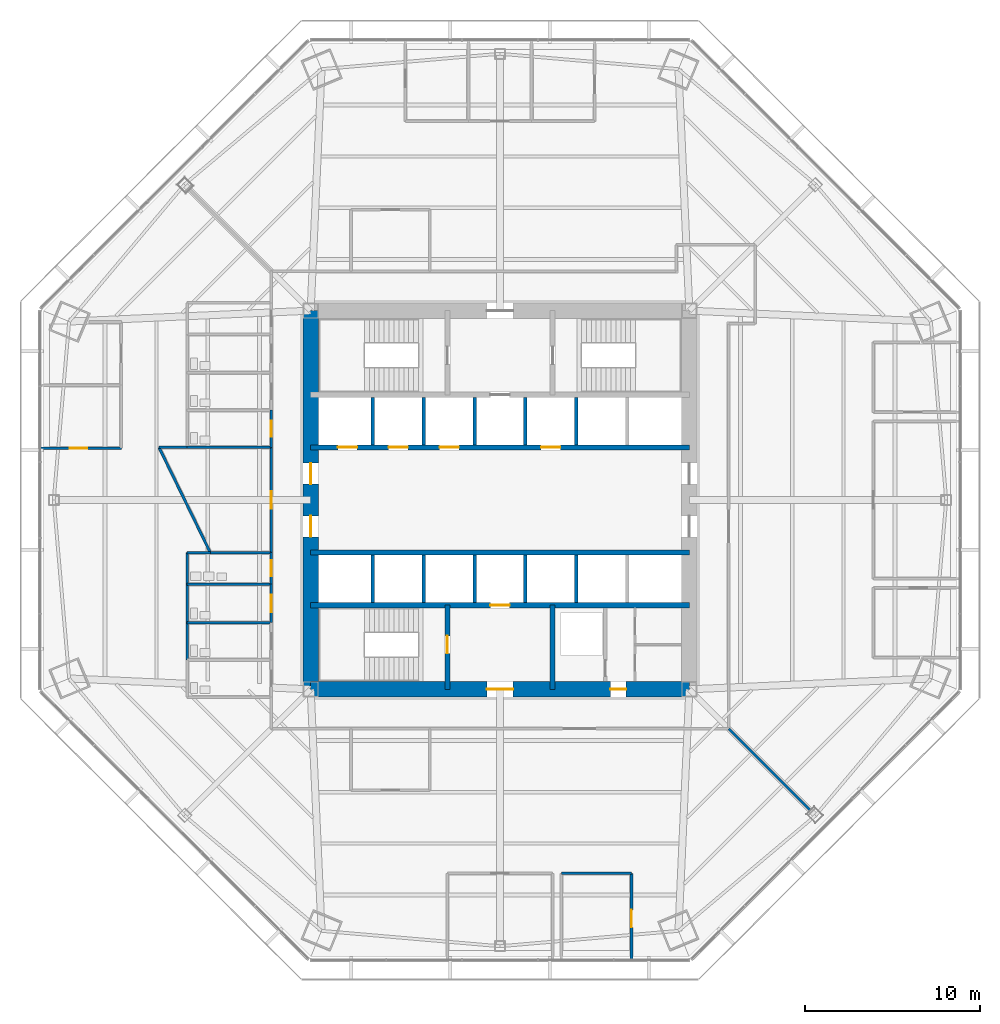
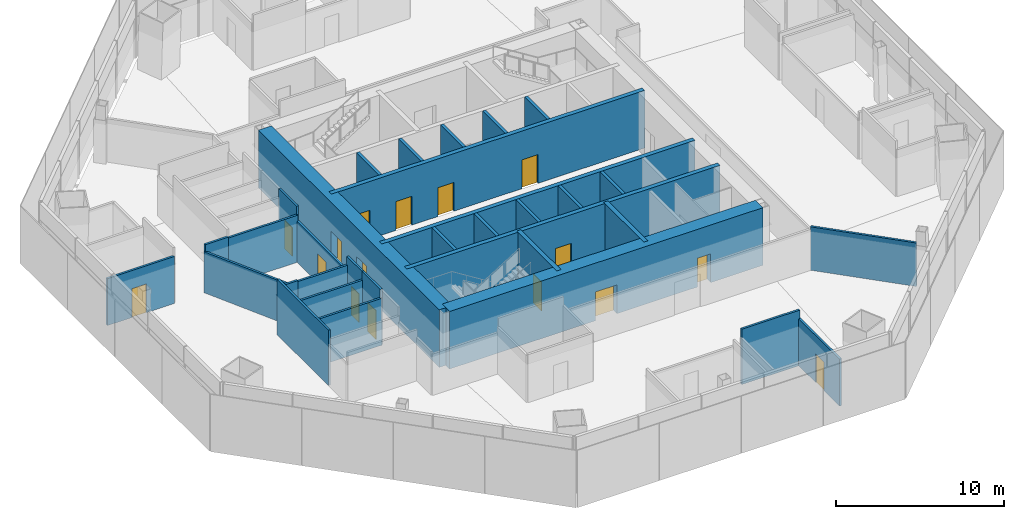
# One storey, part 9 of 15: 33 walls, 16 doors, 16 openings.
"""IFC4 building model written with IfcOpenShell, lengths in metres."""

from ifc_helpers import new_model, si_unit, direction, frame, frame_2d, origin, place, context, subcontext, project, spatial, rectangle, extrude, material, layer, layer_set, type_object, element, fill, save


model = new_model("IFC4")

# Units and contexts
model_context = context("Model", 3, precision=1e-05, world=origin(), true_north=direction((0.0, 1.0)))
body_context = subcontext(model_context, "Body", "Model", "MODEL_VIEW")
ifc_project = project(units=[si_unit("LENGTHUNIT", "METRE"), si_unit("AREAUNIT", "SQUARE_METRE"), si_unit("VOLUMEUNIT", "CUBIC_METRE"), si_unit("PLANEANGLEUNIT", "RADIAN"), si_unit("MASSUNIT", "GRAM", prefix="KILO")], contexts=[model_context])

# Site, building, storey
site_placement = place(None, origin())
site = spatial("IfcSite", under=ifc_project, at=site_placement, CompositionType="ELEMENT")
building_placement = place(site_placement, origin())
building = spatial("IfcBuilding", under=site, at=building_placement, Name="Mashrafa Tower", CompositionType="ELEMENT")
storey_placement = place(building_placement, frame((0.0, 0.0, 62.39990234375)))
storey = spatial("IfcBuildingStorey", under=building, at=storey_placement, Name="L13", CompositionType="ELEMENT", Elevation=62.39990234375)

# Wall, openings, doors
ifc_material_1 = material(Name="Concrete C60/75", Category="concrete")
ifc_layer_1 = layer(ifc_material_1, 0.300048828125)
ifc_layer_set_1 = layer_set([ifc_layer_1], Name="Core wall 300 C60/75")
wall_type_1 = type_object("IfcWallType", Name="Core wall 300 C60/75", PredefinedType="SOLIDWALL", material=ifc_layer_set_1)
wall_1_placement = place(storey_placement, frame((-10.800048828125, 3.0, 0.0), z_axis=(0.0, 0.0, 1.0), x_axis=(1.0, 0.0, 0.0)))
wall_1 = element("IfcWall", 1, at=wall_1_placement, inside=storey, type_object=wall_type_1, Name="Core wall CH-N L13", PredefinedType="SOLIDWALL", context=body_context, shape_type="SweptSolid", body=[
    extrude(rectangle(XDim=21.60009765625, YDim=0.300048828125, at=frame_2d((10.800048828125, 0.0))), origin(), (0.0, 0.0, 1.0), 4.2001953125),
])
opening_1_placement = place(wall_1_placement, frame((1.550048828125, 0.0, 0.0)))
opening_1 = element("IfcOpeningElement", 2, at=opening_1_placement, cuts=wall_1, Name="Opening 13.A1", PredefinedType="OPENING", context=body_context, shape_type="SweptSolid", body=[
    extrude(rectangle(XDim=1.10009765625, YDim=2.10009765625, at=frame_2d((0.550048828125, 1.050048828125))), frame((0.0, 0.159912109375, 0.0), z_axis=(0.0, -1.0, 0.0), x_axis=(1.0, 0.0, 0.0)), (0.0, 0.0, 1.0), 0.320068359375),
])
opening_2_placement = place(wall_1_placement, frame((4.449951171875, 0.0, 0.0)))
opening_2 = element("IfcOpeningElement", 3, at=opening_2_placement, cuts=wall_1, Name="Opening 13.A2", PredefinedType="OPENING", context=body_context, shape_type="SweptSolid", body=[
    extrude(rectangle(XDim=1.10009765625, YDim=2.10009765625, at=frame_2d((0.550048828125, 1.050048828125))), frame((0.0, 0.159912109375, 0.0), z_axis=(0.0, -1.0, 0.0), x_axis=(1.0, 0.0, 0.0)), (0.0, 0.0, 1.0), 0.320068359375),
])
opening_3_placement = place(wall_1_placement, frame((7.35009765625, 0.0, 0.0)))
opening_3 = element("IfcOpeningElement", 4, at=opening_3_placement, cuts=wall_1, Name="Opening 13.A3", PredefinedType="OPENING", context=body_context, shape_type="SweptSolid", body=[
    extrude(rectangle(XDim=1.10009765625, YDim=2.10009765625, at=frame_2d((0.550048828125, 1.050048828125))), frame((0.0, 0.159912109375, 0.0), z_axis=(0.0, -1.0, 0.0), x_axis=(1.0, 0.0, 0.0)), (0.0, 0.0, 1.0), 0.320068359375),
])
opening_4_placement = place(wall_1_placement, frame((13.14990234375, 0.0, 0.0)))
opening_4 = element("IfcOpeningElement", 5, at=opening_4_placement, cuts=wall_1, Name="Opening 13.A4", PredefinedType="OPENING", context=body_context, shape_type="SweptSolid", body=[
    extrude(rectangle(XDim=1.10009765625, YDim=2.10009765625, at=frame_2d((0.550048828125, 1.050048828125))), frame((0.0, 0.159912109375, 0.0), z_axis=(0.0, -1.0, 0.0), x_axis=(1.0, 0.0, 0.0)), (0.0, 0.0, 1.0), 0.320068359375),
])
ifc_material_2 = material(Name="Steel door", Category="steel")
door_type_1 = type_object("IfcDoorType", Name="Lift landing door 1100 x 2100 90 min", OperationType="DOUBLE_DOOR_SLIDING", PredefinedType="DOOR", material=ifc_material_2)
door_1_placement = place(opening_1_placement, origin())
door_1 = element("IfcDoor", 6, at=door_1_placement, inside=storey, type_object=door_type_1, Name="Lift landing door A1 L13", OperationType="DOUBLE_DOOR_SLIDING", OverallHeight=2.10009765625, OverallWidth=1.10009765625, PredefinedType="DOOR", context=body_context, shape_type="SweptSolid", body=[
    extrude(rectangle(XDim=1.10009765625, YDim=2.10009765625, at=frame_2d((0.550048828125, 1.050048828125))), frame((0.0, 0.02490234375, 0.0), z_axis=(0.0, -1.0, 0.0), x_axis=(1.0, 0.0, 0.0)), (0.0, 0.0, 1.0), 0.050048828125),
])
fill(opening_1, door_1)
door_2_placement = place(opening_2_placement, origin())
door_2 = element("IfcDoor", 7, at=door_2_placement, inside=storey, type_object=door_type_1, Name="Lift landing door A2 L13", OperationType="DOUBLE_DOOR_SLIDING", OverallHeight=2.10009765625, OverallWidth=1.10009765625, PredefinedType="DOOR", context=body_context, shape_type="SweptSolid", body=[
    extrude(rectangle(XDim=1.10009765625, YDim=2.10009765625, at=frame_2d((0.550048828125, 1.050048828125))), frame((0.0, 0.02490234375, 0.0), z_axis=(0.0, -1.0, 0.0), x_axis=(1.0, 0.0, 0.0)), (0.0, 0.0, 1.0), 0.050048828125),
])
fill(opening_2, door_2)
door_3_placement = place(opening_3_placement, origin())
door_3 = element("IfcDoor", 8, at=door_3_placement, inside=storey, type_object=door_type_1, Name="Lift landing door A3 L13", OperationType="DOUBLE_DOOR_SLIDING", OverallHeight=2.10009765625, OverallWidth=1.10009765625, PredefinedType="DOOR", context=body_context, shape_type="SweptSolid", body=[
    extrude(rectangle(XDim=1.10009765625, YDim=2.10009765625, at=frame_2d((0.550048828125, 1.050048828125))), frame((0.0, 0.02490234375, 0.0), z_axis=(0.0, -1.0, 0.0), x_axis=(1.0, 0.0, 0.0)), (0.0, 0.0, 1.0), 0.050048828125),
])
fill(opening_3, door_3)
door_4_placement = place(opening_4_placement, origin())
door_4 = element("IfcDoor", 9, at=door_4_placement, inside=storey, type_object=door_type_1, Name="Lift landing door A4 L13", OperationType="DOUBLE_DOOR_SLIDING", OverallHeight=2.10009765625, OverallWidth=1.10009765625, PredefinedType="DOOR", context=body_context, shape_type="SweptSolid", body=[
    extrude(rectangle(XDim=1.10009765625, YDim=2.10009765625, at=frame_2d((0.550048828125, 1.050048828125))), frame((0.0, 0.02490234375, 0.0), z_axis=(0.0, -1.0, 0.0), x_axis=(1.0, 0.0, 0.0)), (0.0, 0.0, 1.0), 0.050048828125),
])
fill(opening_4, door_4)

# Wall
wall_2_placement = place(storey_placement, frame((-10.800048828125, -3.0, 0.0), z_axis=(0.0, 0.0, 1.0), x_axis=(1.0, 0.0, 0.0)))
element("IfcWall", 10, at=wall_2_placement, inside=storey, type_object=wall_type_1, Name="Core wall CH-S L13", PredefinedType="SOLIDWALL", context=body_context, shape_type="SweptSolid", body=[
    extrude(rectangle(XDim=21.60009765625, YDim=0.300048828125, at=frame_2d((10.800048828125, 0.0))), origin(), (0.0, 0.0, 1.0), 4.2001953125),
])

# Wall, opening, door
wall_3_placement = place(storey_placement, frame((-10.800048828125, -6.0, 0.0), z_axis=(0.0, 0.0, 1.0), x_axis=(1.0, 0.0, 0.0)))
wall_3 = element("IfcWall", 11, at=wall_3_placement, inside=storey, type_object=wall_type_1, Name="Core wall CB-S L13", PredefinedType="SOLIDWALL", context=body_context, shape_type="SweptSolid", body=[
    extrude(rectangle(XDim=21.60009765625, YDim=0.300048828125, at=frame_2d((10.800048828125, 0.0))), origin(), (0.0, 0.0, 1.0), 4.2001953125),
])
opening_5_placement = place(wall_3_placement, frame((10.25, 0.0, 0.0)))
opening_5 = element("IfcOpeningElement", 12, at=opening_5_placement, cuts=wall_3, Name="Opening 13.F2", PredefinedType="OPENING", context=body_context, shape_type="SweptSolid", body=[
    extrude(rectangle(XDim=1.10009765625, YDim=2.10009765625, at=frame_2d((0.550048828125, 1.050048828125))), frame((0.0, 0.159912109375, 0.0), z_axis=(0.0, -1.0, 0.0), x_axis=(1.0, 0.0, 0.0)), (0.0, 0.0, 1.0), 0.320068359375),
])
door_5_placement = place(opening_5_placement, origin())
door_5 = element("IfcDoor", 13, at=door_5_placement, inside=storey, type_object=door_type_1, Name="Lift landing door F2 L13", OperationType="DOUBLE_DOOR_SLIDING", OverallHeight=2.10009765625, OverallWidth=1.10009765625, PredefinedType="DOOR", context=body_context, shape_type="SweptSolid", body=[
    extrude(rectangle(XDim=1.10009765625, YDim=2.10009765625, at=frame_2d((0.550048828125, 1.050048828125))), frame((0.0, 0.02490234375, 0.0), z_axis=(0.0, -1.0, 0.0), x_axis=(1.0, 0.0, 0.0)), (0.0, 0.0, 1.0), 0.050048828125),
])
fill(opening_5, door_5)

wall_4_placement = place(storey_placement, frame((-3.0, -6.0, 0.0), z_axis=(0.0, 0.0, 1.0), x_axis=(0.0, -1.0, 0.0)))
wall_4 = element("IfcWall", 14, at=wall_4_placement, inside=storey, type_object=wall_type_1, Name="Core wall CX-SW L13", PredefinedType="SOLIDWALL", context=body_context, shape_type="SweptSolid", body=[
    extrude(rectangle(XDim=4.800048828125, YDim=0.300048828125, at=frame_2d((2.39990234375, 0.0))), origin(), (0.0, 0.0, 1.0), 4.2001953125),
])
opening_6_placement = place(wall_4_placement, frame((1.75, 0.0, 0.0)))
opening_6 = element("IfcOpeningElement", 15, at=opening_6_placement, cuts=wall_4, Name="Opening 13.032", PredefinedType="OPENING", context=body_context, shape_type="SweptSolid", body=[
    extrude(rectangle(XDim=1.0, YDim=2.10009765625, at=frame_2d((0.5, 1.050048828125))), frame((0.0, 0.159912109375, 0.0), z_axis=(0.0, -1.0, 0.0), x_axis=(1.0, 0.0, 0.0)), (0.0, 0.0, 1.0), 0.320068359375),
])
ifc_material_3 = material(Name="Steel door", Category="steel")
door_type_2 = type_object("IfcDoorType", Name="Stair door 1000 x 2100 90 min", OperationType="USERDEFINED", PredefinedType="DOOR", material=ifc_material_3)
door_6_placement = place(opening_6_placement, frame((1.0, 0.0, 0.0), z_axis=(0.0, 0.0, 1.0), x_axis=(-1.0, 0.0, 0.0)))
door_6 = element("IfcDoor", 16, at=door_6_placement, inside=storey, type_object=door_type_2, Name="Stair S3 door L13", OperationType="SINGLE_SWING_RIGHT", OverallHeight=2.10009765625, OverallWidth=1.0, PredefinedType="DOOR", context=body_context, shape_type="SweptSolid", body=[
    extrude(rectangle(XDim=1.0, YDim=2.10009765625, at=frame_2d((0.5, 1.050048828125))), frame((0.0, 0.02490234375, 0.0), z_axis=(0.0, -1.0, 0.0), x_axis=(1.0, 0.0, 0.0)), (0.0, 0.0, 1.0), 0.050048828125),
])
fill(opening_6, door_6)

# Wall
wall_5_placement = place(storey_placement, frame((3.0, -6.0, 0.0), z_axis=(0.0, 0.0, 1.0), x_axis=(0.0, -1.0, 0.0)))
element("IfcWall", 17, at=wall_5_placement, inside=storey, type_object=wall_type_1, Name="Core wall CX-SE L13", PredefinedType="SOLIDWALL", context=body_context, shape_type="SweptSolid", body=[
    extrude(rectangle(XDim=4.800048828125, YDim=0.300048828125, at=frame_2d((2.39990234375, 0.0))), origin(), (0.0, 0.0, 1.0), 4.2001953125),
])

# Wall, openings, doors
ifc_material_4 = material(Name="Concrete C60/75", Category="concrete")
ifc_layer_2 = layer(ifc_material_4, 0.89990234375)
ifc_layer_set_2 = layer_set([ifc_layer_2], Name="Core wall 900 C60/75")
wall_type_2 = type_object("IfcWallType", Name="Core wall 900 C60/75", PredefinedType="SOLIDWALL", material=ifc_layer_set_2)
wall_6_placement = place(storey_placement, frame((-10.800048828125, -10.800048828125, 0.0), z_axis=(0.0, 0.0, 1.0), x_axis=(1.0, 0.0, 0.0)))
wall_6 = element("IfcWall", 18, at=wall_6_placement, inside=storey, type_object=wall_type_2, Name="Core wall CW-S L13", PredefinedType="SOLIDWALL", context=body_context, shape_type="SweptSolid", body=[
    extrude(rectangle(XDim=21.60009765625, YDim=0.89990234375, at=frame_2d((10.800048828125, 0.0))), origin(), (0.0, 0.0, 1.0), 4.2001953125),
])
opening_7_placement = place(wall_6_placement, frame((10.050048828125, 0.0, 0.0)))
opening_7 = element("IfcOpeningElement", 19, at=opening_7_placement, cuts=wall_6, Name="Opening 13.029", PredefinedType="OPENING", context=body_context, shape_type="SweptSolid", body=[
    extrude(rectangle(XDim=1.5, YDim=2.10009765625, at=frame_2d((0.75, 1.050048828125))), frame((0.0, 0.4599609375, 0.0), z_axis=(0.0, -1.0, 0.0), x_axis=(1.0, 0.0, 0.0)), (0.0, 0.0, 1.0), 0.919921875),
])
opening_8_placement = place(wall_6_placement, frame((17.10009765625, 0.0, 0.0)))
opening_8 = element("IfcOpeningElement", 20, at=opening_8_placement, cuts=wall_6, Name="Opening 13.033", PredefinedType="OPENING", context=body_context, shape_type="SweptSolid", body=[
    extrude(rectangle(XDim=0.89990234375, YDim=2.10009765625, at=frame_2d((0.449951171875, 1.050048828125))), frame((0.0, 0.4599609375, 0.0), z_axis=(0.0, -1.0, 0.0), x_axis=(1.0, 0.0, 0.0)), (0.0, 0.0, 1.0), 0.919921875),
])
ifc_material_5 = material(Name="Steel door", Category="steel")
door_type_3 = type_object("IfcDoorType", Name="Lobby door pair 1500 x 2100 90 min", OperationType="DOUBLE_DOOR_SINGLE_SWING", PredefinedType="DOOR", material=ifc_material_5)
door_7_placement = place(opening_7_placement, origin())
door_7 = element("IfcDoor", 21, at=door_7_placement, inside=storey, type_object=door_type_3, Name="Fire-fighting lobby F2 door L13", OperationType="DOUBLE_DOOR_SINGLE_SWING", OverallHeight=2.10009765625, OverallWidth=1.5, PredefinedType="DOOR", context=body_context, shape_type="SweptSolid", body=[
    extrude(rectangle(XDim=1.5, YDim=2.10009765625, at=frame_2d((0.75, 1.050048828125))), frame((0.0, 0.02490234375, 0.0), z_axis=(0.0, -1.0, 0.0), x_axis=(1.0, 0.0, 0.0)), (0.0, 0.0, 1.0), 0.050048828125),
])
fill(opening_7, door_7)
ifc_material_6 = material(Name="Steel door", Category="steel")
door_type_4 = type_object("IfcDoorType", Name="Service door 900 x 2100 90 min", OperationType="USERDEFINED", PredefinedType="DOOR", material=ifc_material_6)
door_8_placement = place(opening_8_placement, frame((0.89990234375, 0.0, 0.0), z_axis=(0.0, 0.0, 1.0), x_axis=(-1.0, 0.0, 0.0)))
door_8 = element("IfcDoor", 22, at=door_8_placement, inside=storey, type_object=door_type_4, Name="Services Lobby L13 door", OperationType="SINGLE_SWING_LEFT", OverallHeight=2.10009765625, OverallWidth=0.89990234375, PredefinedType="DOOR", context=body_context, shape_type="SweptSolid", body=[
    extrude(rectangle(XDim=0.89990234375, YDim=2.10009765625, at=frame_2d((0.449951171875, 1.050048828125))), frame((0.0, 0.02490234375, 0.0), z_axis=(0.0, -1.0, 0.0), x_axis=(1.0, 0.0, 0.0)), (0.0, 0.0, 1.0), 0.050048828125),
])
fill(opening_8, door_8)

wall_7_placement = place(storey_placement, frame((-10.800048828125, 10.800048828125, 0.0), z_axis=(0.0, 0.0, 1.0), x_axis=(0.0, -1.0, 0.0)))
wall_7 = element("IfcWall", 23, at=wall_7_placement, inside=storey, type_object=wall_type_2, Name="Core wall CW-W L13", PredefinedType="SOLIDWALL", context=body_context, shape_type="SweptSolid", body=[
    extrude(rectangle(XDim=21.60009765625, YDim=0.89990234375, at=frame_2d((10.800048828125, 0.0))), origin(), (0.0, 0.0, 1.0), 4.2001953125),
])
opening_9_placement = place(wall_7_placement, frame((8.699951171875, 0.0, 0.0)))
opening_9 = element("IfcOpeningElement", 24, at=opening_9_placement, cuts=wall_7, Name="Opening 13.025", PredefinedType="OPENING", context=body_context, shape_type="SweptSolid", body=[
    extrude(rectangle(XDim=1.199951171875, YDim=2.10009765625, at=frame_2d((0.60009765625, 1.050048828125))), frame((0.0, 0.4599609375, 0.0), z_axis=(0.0, -1.0, 0.0), x_axis=(1.0, 0.0, 0.0)), (0.0, 0.0, 1.0), 0.919921875),
])
opening_10_placement = place(wall_7_placement, frame((11.699951171875, 0.0, 0.0)))
opening_10 = element("IfcOpeningElement", 25, at=opening_10_placement, cuts=wall_7, Name="Opening 13.027", PredefinedType="OPENING", context=body_context, shape_type="SweptSolid", body=[
    extrude(rectangle(XDim=1.199951171875, YDim=2.10009765625, at=frame_2d((0.60009765625, 1.050048828125))), frame((0.0, 0.4599609375, 0.0), z_axis=(0.0, -1.0, 0.0), x_axis=(1.0, 0.0, 0.0)), (0.0, 0.0, 1.0), 0.919921875),
])
ifc_material_7 = material(Name="Steel door", Category="steel")
door_type_5 = type_object("IfcDoorType", Name="Lift hall door 1200 x 2100 90 min", OperationType="USERDEFINED", PredefinedType="DOOR", material=ifc_material_7)
door_9_placement = place(opening_9_placement, frame((1.199951171875, 0.0, 0.0), z_axis=(0.0, 0.0, 1.0), x_axis=(-1.0, 0.0, 0.0)))
door_9 = element("IfcDoor", 26, at=door_9_placement, inside=storey, type_object=door_type_5, Name="Lift hall door west L13", OperationType="SINGLE_SWING_RIGHT", OverallHeight=2.10009765625, OverallWidth=1.199951171875, PredefinedType="DOOR", context=body_context, shape_type="SweptSolid", body=[
    extrude(rectangle(XDim=1.199951171875, YDim=2.10009765625, at=frame_2d((0.60009765625, 1.050048828125))), frame((0.0, 0.02490234375, 0.0), z_axis=(0.0, -1.0, 0.0), x_axis=(1.0, 0.0, 0.0)), (0.0, 0.0, 1.0), 0.050048828125),
])
fill(opening_9, door_9)
door_10_placement = place(opening_10_placement, frame((1.199951171875, 0.0, 0.0), z_axis=(0.0, 0.0, 1.0), x_axis=(-1.0, 0.0, 0.0)))
door_10 = element("IfcDoor", 27, at=door_10_placement, inside=storey, type_object=door_type_5, Name="Lift hall door west L13", OperationType="SINGLE_SWING_LEFT", OverallHeight=2.10009765625, OverallWidth=1.199951171875, PredefinedType="DOOR", context=body_context, shape_type="SweptSolid", body=[
    extrude(rectangle(XDim=1.199951171875, YDim=2.10009765625, at=frame_2d((0.60009765625, 1.050048828125))), frame((0.0, 0.02490234375, 0.0), z_axis=(0.0, -1.0, 0.0), x_axis=(1.0, 0.0, 0.0)), (0.0, 0.0, 1.0), 0.050048828125),
])
fill(opening_10, door_10)

# Wall, opening, door
ifc_material_8 = material(Name="Gypsum board on steel studs", Category="steel")
ifc_layer_3 = layer(ifc_material_8, 0.14990234375)
ifc_layer_set_3 = layer_set([ifc_layer_3], Name="Corridor partition 150 1 hr")
wall_type_3 = type_object("IfcWallType", Name="Corridor partition 150 1 hr", PredefinedType="PARTITIONING", material=ifc_layer_set_3)
wall_8_placement = place(storey_placement, frame((-13.050048828125, 5.1259765625, 0.0), z_axis=(0.0, 0.0, 1.0), x_axis=(0.0, -1.0, 0.0)))
wall_8 = element("IfcWall", 28, at=wall_8_placement, inside=storey, type_object=wall_type_3, Name="Corridor wall L13-001", PredefinedType="PARTITIONING", context=body_context, shape_type="SweptSolid", body=[
    extrude(rectangle(XDim=2.126953125, YDim=0.14990234375, at=frame_2d((1.0634765625, 0.0))), origin(), (0.0, 0.0, 1.0), 4.03515625),
])
opening_11_placement = place(wall_8_placement, frame((0.613525390625, 0.0, 0.0)))
opening_11 = element("IfcOpeningElement", 29, at=opening_11_placement, cuts=wall_8, Name="Opening 13.001", PredefinedType="OPENING", context=body_context, shape_type="SweptSolid", body=[
    extrude(rectangle(XDim=0.89990234375, YDim=2.10009765625, at=frame_2d((0.449951171875, 1.050048828125))), frame((0.0, 0.0849609375, 0.0), z_axis=(0.0, -1.0, 0.0), x_axis=(1.0, 0.0, 0.0)), (0.0, 0.0, 1.0), 0.169921875),
])
ifc_material_9 = material(Name="Timber door", Category="wood")
door_type_6 = type_object("IfcDoorType", Name="Toilet door 900 x 2100", OperationType="USERDEFINED", PredefinedType="DOOR", material=ifc_material_9)
door_11_placement = place(opening_11_placement, frame((0.89990234375, 0.0, 0.0), z_axis=(0.0, 0.0, 1.0), x_axis=(-1.0, 0.0, 0.0)))
door_11 = element("IfcDoor", 30, at=door_11_placement, inside=storey, type_object=door_type_6, Name="WC Female L13 N door", OperationType="SINGLE_SWING_RIGHT", OverallHeight=2.10009765625, OverallWidth=0.89990234375, PredefinedType="DOOR", context=body_context, shape_type="SweptSolid", body=[
    extrude(rectangle(XDim=0.89990234375, YDim=2.10009765625, at=frame_2d((0.449951171875, 1.050048828125))), frame((0.0, 0.02490234375, 0.0), z_axis=(0.0, -1.0, 0.0), x_axis=(1.0, 0.0, 0.0)), (0.0, 0.0, 1.0), 0.050048828125),
])
fill(opening_11, door_11)

wall_9_placement = place(storey_placement, frame((-13.050048828125, -4.799072265625, 0.0), z_axis=(0.0, 0.0, 1.0), x_axis=(0.0, -1.0, 0.0)))
wall_9 = element("IfcWall", 31, at=wall_9_placement, inside=storey, type_object=wall_type_3, Name="Corridor wall L13-007", PredefinedType="PARTITIONING", context=body_context, shape_type="SweptSolid", body=[
    extrude(rectangle(XDim=2.201904296875, YDim=0.14990234375, at=frame_2d((1.10107421875, 0.0))), origin(), (0.0, 0.0, 1.0), 4.03515625),
])
opening_12_placement = place(wall_9_placement, frame((0.60107421875, 0.0, 0.0)))
opening_12 = element("IfcOpeningElement", 32, at=opening_12_placement, cuts=wall_9, Name="Opening 13.007", PredefinedType="OPENING", context=body_context, shape_type="SweptSolid", body=[
    extrude(rectangle(XDim=1.0, YDim=2.10009765625, at=frame_2d((0.5, 1.050048828125))), frame((0.0, 0.0849609375, 0.0), z_axis=(0.0, -1.0, 0.0), x_axis=(1.0, 0.0, 0.0)), (0.0, 0.0, 1.0), 0.169921875),
])
ifc_material_10 = material(Name="Timber door", Category="wood")
door_type_7 = type_object("IfcDoorType", Name="Accessible toilet door 1000 x 2100", OperationType="USERDEFINED", PredefinedType="DOOR", material=ifc_material_10)
door_12_placement = place(opening_12_placement, frame((1.0, 0.0, 0.0), z_axis=(0.0, 0.0, 1.0), x_axis=(-1.0, 0.0, 0.0)))
door_12 = element("IfcDoor", 33, at=door_12_placement, inside=storey, type_object=door_type_7, Name="Accessible WC L13 S door", OperationType="SINGLE_SWING_LEFT", OverallHeight=2.10009765625, OverallWidth=1.0, PredefinedType="DOOR", context=body_context, shape_type="SweptSolid", body=[
    extrude(rectangle(XDim=1.0, YDim=2.10009765625, at=frame_2d((0.5, 1.050048828125))), frame((0.0, 0.02490234375, 0.0), z_axis=(0.0, -1.0, 0.0), x_axis=(1.0, 0.0, 0.0)), (0.0, 0.0, 1.0), 0.050048828125),
])
fill(opening_12, door_12)

wall_10_placement = place(storey_placement, frame((-13.050048828125, -2.9990234375, 0.0), z_axis=(0.0, 0.0, 1.0), x_axis=(0.0, -1.0, 0.0)))
wall_10 = element("IfcWall", 34, at=wall_10_placement, inside=storey, type_object=wall_type_3, Name="Corridor wall L13-008", PredefinedType="PARTITIONING", context=body_context, shape_type="SweptSolid", body=[
    extrude(rectangle(XDim=1.802001953125, YDim=0.14990234375, at=frame_2d((0.90087890625, 0.0))), origin(), (0.0, 0.0, 1.0), 4.03515625),
])
opening_13_placement = place(wall_10_placement, frame((0.450927734375, 0.0, 0.0)))
opening_13 = element("IfcOpeningElement", 35, at=opening_13_placement, cuts=wall_10, Name="Opening 13.008", PredefinedType="OPENING", context=body_context, shape_type="SweptSolid", body=[
    extrude(rectangle(XDim=0.89990234375, YDim=2.10009765625, at=frame_2d((0.449951171875, 1.050048828125))), frame((0.0, 0.0849609375, 0.0), z_axis=(0.0, -1.0, 0.0), x_axis=(1.0, 0.0, 0.0)), (0.0, 0.0, 1.0), 0.169921875),
])
door_13_placement = place(opening_13_placement, frame((0.89990234375, 0.0, 0.0), z_axis=(0.0, 0.0, 1.0), x_axis=(-1.0, 0.0, 0.0)))
door_13 = element("IfcDoor", 36, at=door_13_placement, inside=storey, type_object=door_type_6, Name="Ablution Room L13 S door", OperationType="SINGLE_SWING_RIGHT", OverallHeight=2.10009765625, OverallWidth=0.89990234375, PredefinedType="DOOR", context=body_context, shape_type="SweptSolid", body=[
    extrude(rectangle(XDim=0.89990234375, YDim=2.10009765625, at=frame_2d((0.449951171875, 1.050048828125))), frame((0.0, 0.02490234375, 0.0), z_axis=(0.0, -1.0, 0.0), x_axis=(1.0, 0.0, 0.0)), (0.0, 0.0, 1.0), 0.050048828125),
])
fill(opening_13, door_13)

wall_11_placement = place(storey_placement, frame((-13.050048828125, 3.0009765625, 0.0), z_axis=(0.0, 0.0, 1.0), x_axis=(0.0, -1.0, 0.0)))
wall_11 = element("IfcWall", 37, at=wall_11_placement, inside=storey, type_object=wall_type_3, Name="Corridor wall L13-009", PredefinedType="PARTITIONING", context=body_context, shape_type="SweptSolid", body=[
    extrude(rectangle(XDim=6.001953125, YDim=0.14990234375, at=frame_2d((3.0009765625, 0.0))), origin(), (0.0, 0.0, 1.0), 2.983642578125),
])
opening_14_placement = place(wall_11_placement, frame((2.5009765625, 0.0, 0.0)))
opening_14 = element("IfcOpeningElement", 38, at=opening_14_placement, cuts=wall_11, Name="Opening 13.009", PredefinedType="OPENING", context=body_context, shape_type="SweptSolid", body=[
    extrude(rectangle(XDim=1.0, YDim=2.10009765625, at=frame_2d((0.5, 1.050048828125))), frame((0.0, 0.0849609375, 0.0), z_axis=(0.0, -1.0, 0.0), x_axis=(1.0, 0.0, 0.0)), (0.0, 0.0, 1.0), 0.169921875),
])
ifc_material_11 = material(Name="Timber door", Category="wood")
door_type_8 = type_object("IfcDoorType", Name="Door 1000 x 2100", OperationType="USERDEFINED", PredefinedType="DOOR", material=ifc_material_11)
door_14_placement = place(opening_14_placement, frame((1.0, 0.0, 0.0), z_axis=(0.0, 0.0, 1.0), x_axis=(-1.0, 0.0, 0.0)))
door_14 = element("IfcDoor", 39, at=door_14_placement, inside=storey, type_object=door_type_8, Name="Musallah Prayer Room 13 door", OperationType="SINGLE_SWING_LEFT", OverallHeight=2.10009765625, OverallWidth=1.0, PredefinedType="DOOR", context=body_context, shape_type="SweptSolid", body=[
    extrude(rectangle(XDim=1.0, YDim=2.10009765625, at=frame_2d((0.5, 1.050048828125))), frame((0.0, 0.02490234375, 0.0), z_axis=(0.0, -1.0, 0.0), x_axis=(1.0, 0.0, 0.0)), (0.0, 0.0, 1.0), 0.050048828125),
])
fill(opening_14, door_14)

# Walls
ifc_material_12 = material(Name="Gypsum board on steel studs", Category="steel")
ifc_layer_4 = layer(ifc_material_12, 0.14990234375)
ifc_layer_set_4 = layer_set([ifc_layer_4], Name="Partition 150")
wall_type_4 = type_object("IfcWallType", Name="Partition 150", PredefinedType="PARTITIONING", material=ifc_layer_set_4)
for number, where, z_axis, x_axis, name in (
    (40, (-17.85009765625, 3.0, 0.0), (0.0, 0.0, 1.0), (1.0, 0.0, 0.0), "Partition wall L13-024"),
    (41, (-13.050048828125, -7.0, 0.0), (0.0, 0.0, 1.0), (-1.0, 0.0, 0.0), "Partition wall L13-035"),
):
    element("IfcWall", number, at=place(storey_placement, frame(where, z_axis=z_axis, x_axis=x_axis)), inside=storey, type_object=wall_type_4, Name=name, PredefinedType="PARTITIONING", context=body_context, shape_type="SweptSolid", body=[
        extrude(rectangle(XDim=4.800048828125, YDim=0.14990234375, at=frame_2d((2.39990234375, 0.0))), origin(), (0.0, 0.0, 1.0), 3.423095703125),
    ])
wall_12_placement = place(storey_placement, frame((-17.85009765625, -9.125, 0.0), z_axis=(0.0, 0.0, 1.0), x_axis=(0.0, 1.0, 0.0)))
element("IfcWall", 42, at=wall_12_placement, inside=storey, type_object=wall_type_4, Name="Partition wall L13-036", PredefinedType="PARTITIONING", context=body_context, shape_type="SweptSolid", body=[
    extrude(rectangle(XDim=6.125, YDim=0.14990234375, at=frame_2d((3.0625, 0.0))), origin(), (0.0, 0.0, 1.0), 4.03515625),
])
wall_13_placement = place(storey_placement, frame((-13.050048828125, -4.800048828125, 0.0), z_axis=(0.0, 0.0, 1.0), x_axis=(-1.0, 0.0, 0.0)))
element("IfcWall", 43, at=wall_13_placement, inside=storey, type_object=wall_type_4, Name="Partition wall L13-037", PredefinedType="PARTITIONING", context=body_context, shape_type="SweptSolid", body=[
    extrude(rectangle(XDim=4.800048828125, YDim=0.14990234375, at=frame_2d((2.39990234375, 0.0))), origin(), (0.0, 0.0, 1.0), 3.423095703125),
])
wall_14_placement = place(storey_placement, frame((-13.050048828125, -3.0, 0.0), z_axis=(0.0, 0.0, 1.0), x_axis=(-1.0, 0.0, 0.0)))
element("IfcWall", 44, at=wall_14_placement, inside=storey, type_object=wall_type_4, Name="Partition wall L13-039", PredefinedType="PARTITIONING", context=body_context, shape_type="SweptSolid", body=[
    extrude(rectangle(XDim=3.474609375, YDim=0.14990234375, at=frame_2d((1.7373046875, 0.0))), origin(), (0.0, 0.0, 1.0), 3.423095703125),
])
wall_15_placement = place(storey_placement, frame((-16.5224609375, -3.0, 0.0), z_axis=(0.0, 0.0, 1.0), x_axis=(-1.0, 0.0, 0.0)))
element("IfcWall", 45, at=wall_15_placement, inside=storey, type_object=wall_type_4, Name="Partition wall L13-040", PredefinedType="PARTITIONING", context=body_context, shape_type="SweptSolid", body=[
    extrude(rectangle(XDim=1.32763671875, YDim=0.14990234375, at=frame_2d((0.663818359375, 0.0))), origin(), (0.0, 0.0, 1.0), 3.496826171875),
])
wall_16_placement = place(storey_placement, frame((-17.84912109375, 3.0, 0.0), z_axis=(0.0, 0.0, 1.0), x_axis=(-1.0, 0.0, 0.0)))
element("IfcWall", 46, at=wall_16_placement, inside=storey, type_object=wall_type_4, Name="Partition wall L13-042", PredefinedType="PARTITIONING", context=body_context, shape_type="SweptSolid", body=[
    extrude(rectangle(XDim=1.600830078125, YDim=0.14990234375, at=frame_2d((0.80029296875, 0.0))), origin(), (0.0, 0.0, 1.0), 3.496826171875),
])
wall_17_placement = place(storey_placement, frame((-19.449951171875, 3.0, 0.0), z_axis=(0.0, 0.0, 1.0), x_axis=(0.43835589904, -0.898801482963, 0.0)))
element("IfcWall", 47, at=wall_17_placement, inside=storey, type_object=wall_type_4, Name="Partition wall L13-043", PredefinedType="PARTITIONING", context=body_context, shape_type="SweptSolid", body=[
    extrude(rectangle(XDim=6.675537109375, YDim=0.14990234375, at=frame_2d((3.337890625, 0.0))), origin(), (0.0, 0.0, 1.0), 2.983642578125),
])

# Wall, opening, door
wall_18_placement = place(storey_placement, frame((-26.2333984375, 2.952880859375, 0.0), z_axis=(0.0, 0.0, 1.0), x_axis=(1.0, 0.0, 0.0)))
wall_18 = element("IfcWall", 48, at=wall_18_placement, inside=storey, type_object=wall_type_4, Name="Partition wall L13-066", PredefinedType="PARTITIONING", context=body_context, shape_type="SweptSolid", body=[
    extrude(rectangle(XDim=4.6337890625, YDim=0.14990234375, at=frame_2d((2.31689453125, 0.0))), origin(), (0.0, 0.0, 1.0), 3.423095703125),
])
opening_15_placement = place(wall_18_placement, frame((1.698974609375, 0.0, 0.0)))
opening_15 = element("IfcOpeningElement", 49, at=opening_15_placement, cuts=wall_18, Name="Opening 13.018", PredefinedType="OPENING", context=body_context, shape_type="SweptSolid", body=[
    extrude(rectangle(XDim=1.0, YDim=2.10009765625, at=frame_2d((0.5, 1.050048828125))), frame((0.0, 0.0849609375, 0.0), z_axis=(0.0, -1.0, 0.0), x_axis=(1.0, 0.0, 0.0)), (0.0, 0.0, 1.0), 0.169921875),
])
door_15_placement = place(opening_15_placement, origin())
door_15 = element("IfcDoor", 50, at=door_15_placement, inside=storey, type_object=door_type_8, Name="Office 13-B-2 door", OperationType="SINGLE_SWING_LEFT", OverallHeight=2.10009765625, OverallWidth=1.0, PredefinedType="DOOR", context=body_context, shape_type="SweptSolid", body=[
    extrude(rectangle(XDim=1.0, YDim=2.10009765625, at=frame_2d((0.5, 1.050048828125))), frame((0.0, 0.02490234375, 0.0), z_axis=(0.0, -1.0, 0.0), x_axis=(1.0, 0.0, 0.0)), (0.0, 0.0, 1.0), 0.050048828125),
])
fill(opening_15, door_15)

wall_19_placement = place(storey_placement, frame((7.5, -26.2333984375, 0.0), z_axis=(0.0, 0.0, 1.0), x_axis=(0.0, 1.0, 0.0)))
wall_19 = element("IfcWall", 51, at=wall_19_placement, inside=storey, type_object=wall_type_4, Name="Partition wall L13-076", PredefinedType="PARTITIONING", context=body_context, shape_type="SweptSolid", body=[
    extrude(rectangle(XDim=4.933837890625, YDim=0.14990234375, at=frame_2d((2.466796875, 0.0))), origin(), (0.0, 0.0, 1.0), 3.423095703125),
])
opening_16_placement = place(wall_19_placement, frame((1.84912109375, 0.0, 0.0)))
opening_16 = element("IfcOpeningElement", 52, at=opening_16_placement, cuts=wall_19, Name="Opening 13.021", PredefinedType="OPENING", context=body_context, shape_type="SweptSolid", body=[
    extrude(rectangle(XDim=1.0, YDim=2.10009765625, at=frame_2d((0.5, 1.050048828125))), frame((0.0, 0.0849609375, 0.0), z_axis=(0.0, -1.0, 0.0), x_axis=(1.0, 0.0, 0.0)), (0.0, 0.0, 1.0), 0.169921875),
])
door_16_placement = place(opening_16_placement, origin())
door_16 = element("IfcDoor", 53, at=door_16_placement, inside=storey, type_object=door_type_8, Name="Interview Room 13-B door", OperationType="SINGLE_SWING_LEFT", OverallHeight=2.10009765625, OverallWidth=1.0, PredefinedType="DOOR", context=body_context, shape_type="SweptSolid", body=[
    extrude(rectangle(XDim=1.0, YDim=2.10009765625, at=frame_2d((0.5, 1.050048828125))), frame((0.0, 0.02490234375, 0.0), z_axis=(0.0, -1.0, 0.0), x_axis=(1.0, 0.0, 0.0)), (0.0, 0.0, 1.0), 0.050048828125),
])
fill(opening_16, door_16)

# Walls
wall_20_placement = place(storey_placement, frame((7.5, -21.299560546875, 0.0), z_axis=(0.0, 0.0, 1.0), x_axis=(-1.0, 0.0, 0.0)))
element("IfcWall", 54, at=wall_20_placement, inside=storey, type_object=wall_type_4, Name="Partition wall L13-077", PredefinedType="PARTITIONING", context=body_context, shape_type="SweptSolid", body=[
    extrude(rectangle(XDim=4.0, YDim=0.14990234375, at=frame_2d((2.0, 0.0))), origin(), (0.0, 0.0, 1.0), 4.03515625),
])
wall_21_placement = place(storey_placement, frame((13.050048828125, -13.050048828125, 0.0), z_axis=(0.0, 0.0, 1.0), x_axis=(0.707106781187, -0.707106781187, 0.0)))
element("IfcWall", 55, at=wall_21_placement, inside=storey, type_object=wall_type_4, Name="Partition wall L13-080", PredefinedType="PARTITIONING", context=body_context, shape_type="SweptSolid", body=[
    extrude(rectangle(XDim=6.555908203125, YDim=0.14990234375, at=frame_2d((3.27783203125, 0.0))), origin(), (0.0, 0.0, 1.0), 3.16650390625),
])
ifc_material_13 = material(Name="Gypsum shaft wall on steel studs", Category="steel")
ifc_layer_5 = layer(ifc_material_13, 0.199951171875)
ifc_layer_set_5 = layer_set([ifc_layer_5], Name="Shaft divider wall 200 2 hr")
wall_type_5 = type_object("IfcWallType", Name="Shaft divider wall 200 2 hr", PredefinedType="PARTITIONING", material=ifc_layer_set_5)
for number, where, z_axis, x_axis, name in (
    (56, (-7.25, 3.14990234375, 0.0), (0.0, 0.0, 1.0), (0.0, 1.0, 0.0), "Shaft divider wall N1 L13"),
    (57, (-4.35009765625, 3.14990234375, 0.0), (0.0, 0.0, 1.0), (0.0, 1.0, 0.0), "Shaft divider wall N2 L13"),
    (58, (-1.449951171875, 3.14990234375, 0.0), (0.0, 0.0, 1.0), (0.0, 1.0, 0.0), "Shaft divider wall N3 L13"),
    (59, (1.449951171875, 3.14990234375, 0.0), (0.0, 0.0, 1.0), (0.0, 1.0, 0.0), "Shaft divider wall N4 L13"),
    (60, (4.35009765625, 3.14990234375, 0.0), (0.0, 0.0, 1.0), (0.0, 1.0, 0.0), "Shaft divider wall N5 L13"),
    (61, (-7.25, -5.85009765625, 0.0), (0.0, 0.0, 1.0), (0.0, 1.0, 0.0), "Shaft divider wall S1 L13"),
    (62, (-4.35009765625, -5.85009765625, 0.0), (0.0, 0.0, 1.0), (0.0, 1.0, 0.0), "Shaft divider wall S2 L13"),
    (63, (-1.449951171875, -5.85009765625, 0.0), (0.0, 0.0, 1.0), (0.0, 1.0, 0.0), "Shaft divider wall S3 L13"),
    (64, (1.449951171875, -5.85009765625, 0.0), (0.0, 0.0, 1.0), (0.0, 1.0, 0.0), "Shaft divider wall S4 L13"),
    (65, (4.35009765625, -5.85009765625, 0.0), (0.0, 0.0, 1.0), (0.0, 1.0, 0.0), "Shaft divider wall S5 L13"),
):
    element("IfcWall", number, at=place(storey_placement, frame(where, z_axis=z_axis, x_axis=x_axis)), inside=storey, type_object=wall_type_5, Name=name, PredefinedType="PARTITIONING", context=body_context, shape_type="SweptSolid", body=[
        extrude(rectangle(XDim=2.7001953125, YDim=0.199951171875, at=frame_2d((1.35009765625, 0.0))), origin(), (0.0, 0.0, 1.0), 4.2001953125),
    ])

save(model, "model.ifc")
